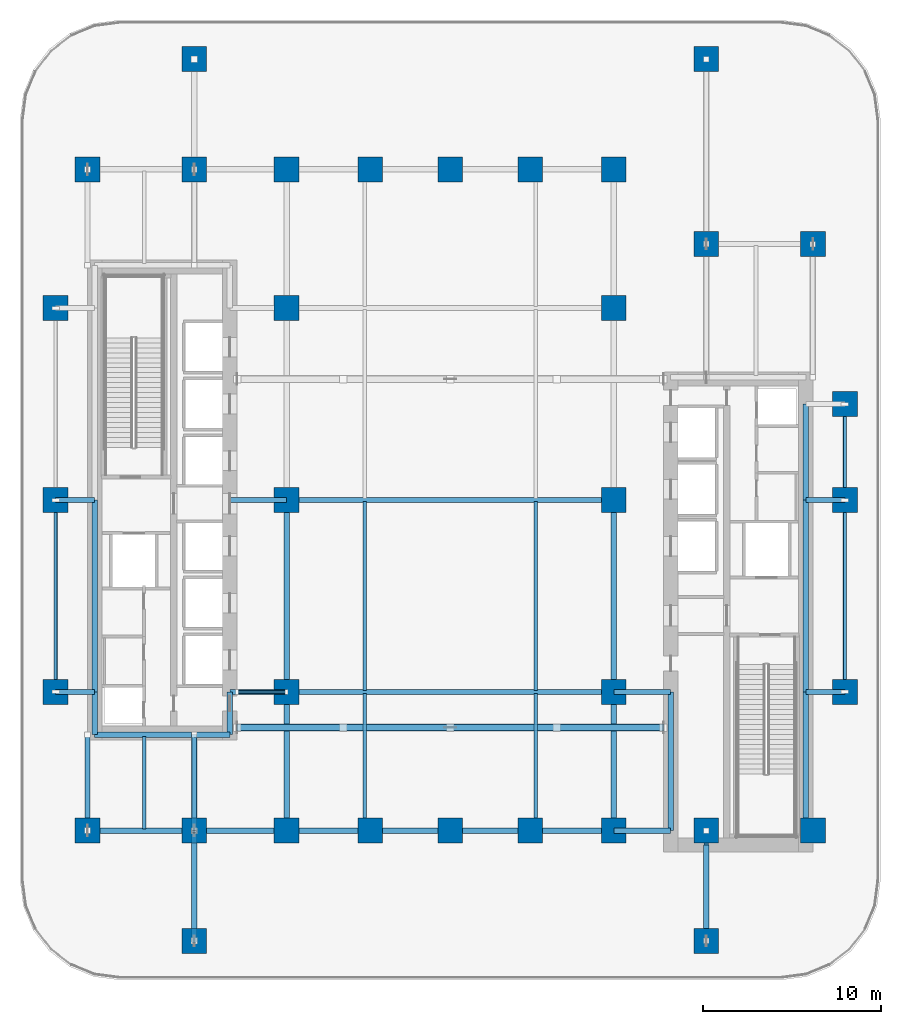
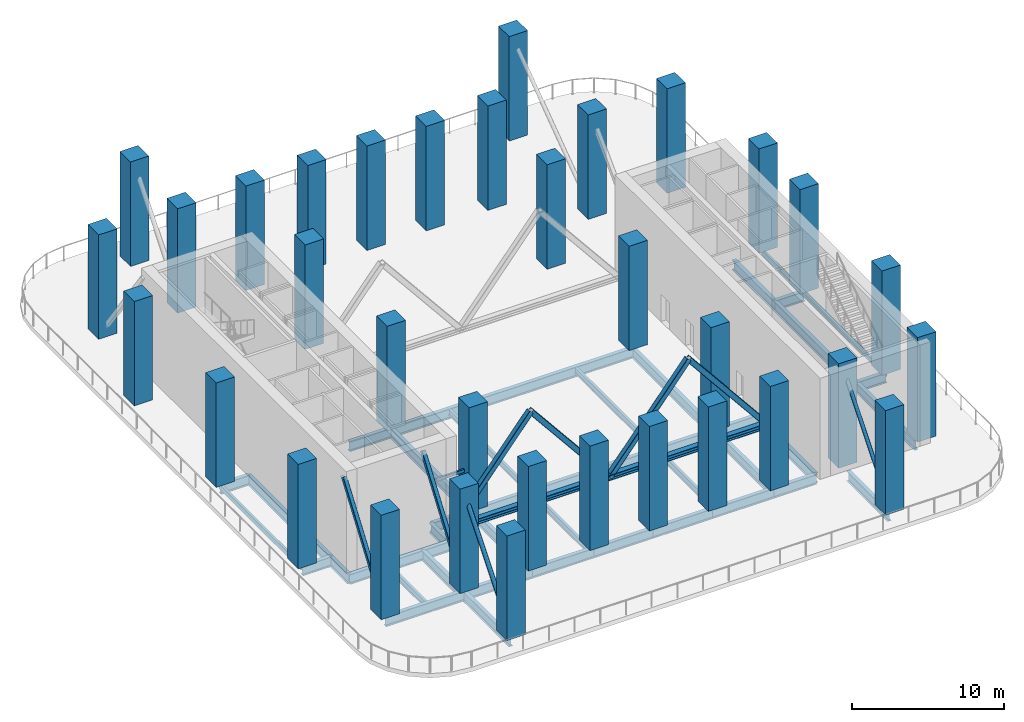
# One storey, part 1 of 13: 41 beams, 34 columns, 9 members.
"""IFC4 building model written with IfcOpenShell, lengths in metres."""

from ifc_helpers import new_model, si_unit, direction, frame, origin, origin_2d, place, context, subcontext, project, spatial, rectangle, hollow_rectangle, hollow_circle, i_section, extrude, material, material_profile, profile_set, type_object, element, save


model = new_model("IFC4")

# Units and contexts
model_context = context("Model", 3, precision=1e-05, world=origin(), true_north=direction((0.0, 1.0)))
body_context = subcontext(model_context, "Body", "Model", "MODEL_VIEW")
ifc_project = project(units=[si_unit("LENGTHUNIT", "METRE"), si_unit("AREAUNIT", "SQUARE_METRE"), si_unit("VOLUMEUNIT", "CUBIC_METRE"), si_unit("PLANEANGLEUNIT", "RADIAN"), si_unit("MASSUNIT", "GRAM", prefix="KILO")], contexts=[model_context])

# Site, building, storey
site_placement = place(None, origin())
site = spatial("IfcSite", under=ifc_project, at=site_placement, CompositionType="ELEMENT")
building_placement = place(site_placement, origin())
building = spatial("IfcBuilding", under=site, at=building_placement, Name="Khairoan Windgate Tower", CompositionType="ELEMENT")
storey_placement = place(building_placement, frame((0.0, 0.0, 84.800048828125)))
storey = spatial("IfcBuildingStorey", under=building, at=storey_placement, Name="L20", CompositionType="ELEMENT", Elevation=84.800048828125)

# Columns
ifc_material_1 = material(Name="Concrete C60/75", Category="concrete")
ifc_material_profile_1 = material_profile(ifc_material_1, rectangle(XDim=1.39990234375, YDim=1.39990234375, at=origin_2d()))
ifc_profile_set_1 = profile_set([ifc_material_profile_1], Name="Concrete C60/75")
column_type = type_object("IfcColumnType", Name="Column C-T2 RC1400x1400", PredefinedType="COLUMN", material=ifc_profile_set_1)
for number, where, z_axis, x_axis, name in (
    (1, (-9.199951171875, -18.60009765625, 0.0), (0.0, 0.0, 1.0), (1.0, 0.0, 0.0), "Column L20-01"),
    (2, (-9.199951171875, -10.800048828125, 0.0), (0.0, 0.0, 1.0), (1.0, 0.0, 0.0), "Column L20-02"),
    (3, (-9.199951171875, 0.0, 0.0), (0.0, 0.0, 1.0), (1.0, 0.0, 0.0), "Column L20-03"),
    (4, (-9.199951171875, 10.800048828125, 0.0), (0.0, 0.0, 1.0), (1.0, 0.0, 0.0), "Column L20-04"),
    (5, (-9.199951171875, 18.60009765625, 0.0), (0.0, 0.0, 1.0), (1.0, 0.0, 0.0), "Column L20-05"),
    (6, (9.199951171875, -18.60009765625, 0.0), (0.0, 0.0, 1.0), (1.0, 0.0, 0.0), "Column L20-06"),
    (7, (9.199951171875, -10.800048828125, 0.0), (0.0, 0.0, 1.0), (1.0, 0.0, 0.0), "Column L20-07"),
    (8, (9.199951171875, 0.0, 0.0), (0.0, 0.0, 1.0), (1.0, 0.0, 0.0), "Column L20-08"),
    (9, (9.199951171875, 10.800048828125, 0.0), (0.0, 0.0, 1.0), (1.0, 0.0, 0.0), "Column L20-09"),
    (10, (9.199951171875, 18.60009765625, 0.0), (0.0, 0.0, 1.0), (1.0, 0.0, 0.0), "Column L20-10"),
    (11, (-20.39990234375, -18.60009765625, 0.0), (0.0, 0.0, 1.0), (1.0, 0.0, 0.0), "Column L20-11"),
    (12, (-20.39990234375, 18.60009765625, 0.0), (0.0, 0.0, 1.0), (1.0, 0.0, 0.0), "Column L20-12"),
    (13, (20.39990234375, -18.60009765625, 0.0), (0.0, 0.0, 1.0), (1.0, 0.0, 0.0), "Column L20-13"),
    (14, (20.39990234375, 14.39990234375, 0.0), (0.0, 0.0, 1.0), (1.0, 0.0, 0.0), "Column L20-14"),
    (15, (-14.39990234375, -18.60009765625, 0.0), (0.0, 0.0, 1.0), (1.0, 0.0, 0.0), "Column L20-15"),
    (16, (-14.39990234375, 18.60009765625, 0.0), (0.0, 0.0, 1.0), (1.0, 0.0, 0.0), "Column L20-16"),
    (17, (14.39990234375, -18.60009765625, 0.0), (0.0, 0.0, 1.0), (1.0, 0.0, 0.0), "Column L20-17"),
    (18, (14.39990234375, 14.39990234375, 0.0), (0.0, 0.0, 1.0), (1.0, 0.0, 0.0), "Column L20-18"),
    (19, (-4.5, -18.60009765625, 0.0), (0.0, 0.0, 1.0), (1.0, 0.0, 0.0), "Column L20-19"),
    (20, (0.0, -18.60009765625, 0.0), (0.0, 0.0, 1.0), (1.0, 0.0, 0.0), "Column L20-20"),
    (21, (4.5, -18.60009765625, 0.0), (0.0, 0.0, 1.0), (1.0, 0.0, 0.0), "Column L20-21"),
    (22, (-4.5, 18.60009765625, 0.0), (0.0, 0.0, 1.0), (1.0, 0.0, 0.0), "Column L20-22"),
    (23, (0.0, 18.60009765625, 0.0), (0.0, 0.0, 1.0), (1.0, 0.0, 0.0), "Column L20-23"),
    (24, (4.5, 18.60009765625, 0.0), (0.0, 0.0, 1.0), (1.0, 0.0, 0.0), "Column L20-24"),
    (25, (-22.199951171875, -10.800048828125, 0.0), (0.0, 0.0, 1.0), (1.0, 0.0, 0.0), "Column L20-25"),
    (26, (-22.199951171875, 0.0, 0.0), (0.0, 0.0, 1.0), (1.0, 0.0, 0.0), "Column L20-26"),
    (27, (-22.199951171875, 10.800048828125, 0.0), (0.0, 0.0, 1.0), (1.0, 0.0, 0.0), "Column L20-27"),
    (28, (22.199951171875, -10.800048828125, 0.0), (0.0, 0.0, 1.0), (1.0, 0.0, 0.0), "Column L20-28"),
    (29, (22.199951171875, 0.0, 0.0), (0.0, 0.0, 1.0), (1.0, 0.0, 0.0), "Column L20-29"),
    (30, (22.199951171875, 5.39990234375, 0.0), (0.0, 0.0, 1.0), (1.0, 0.0, 0.0), "Column L20-30"),
    (31, (-14.39990234375, -24.800048828125, 0.0), (0.0, 0.0, 1.0), (1.0, 0.0, 0.0), "Column L20-31"),
    (32, (-14.39990234375, 24.800048828125, 0.0), (0.0, 0.0, 1.0), (1.0, 0.0, 0.0), "Column L20-32"),
    (33, (14.39990234375, -24.800048828125, 0.0), (0.0, 0.0, 1.0), (1.0, 0.0, 0.0), "Column L20-33"),
    (34, (14.39990234375, 24.800048828125, 0.0), (0.0, 0.0, 1.0), (1.0, 0.0, 0.0), "Column L20-34"),
):
    element("IfcColumn", number, at=place(storey_placement, frame(where, z_axis=z_axis, x_axis=x_axis)), inside=storey, type_object=column_type, Name=name, PredefinedType="COLUMN", context=body_context, shape_type="SweptSolid", body=[
        extrude(rectangle(XDim=1.39990234375, YDim=1.39990234375, at=origin_2d()), origin(), (0.0, 0.0, 1.0), 8.39990234375),
    ])

# Beams
ifc_material_2 = material(Name="Steel S355", Category="steel")
ifc_material_profile_2 = material_profile(ifc_material_2, i_section(OverallWidth=0.300048828125, OverallDepth=0.800048828125, WebThickness=0.013916015625, FlangeThickness=0.02587890625, FilletRadius=0.028076171875, at=origin_2d()))
ifc_profile_set_2 = profile_set([ifc_material_profile_2], Name="Steel S355")
beam_type_1 = type_object("IfcBeamType", Name="Beam B-G2 H800x300x14x26", PredefinedType="BEAM", material=ifc_profile_set_2)
beam_1_placement = place(storey_placement, frame((-20.39990234375, -18.60009765625, -0.75), z_axis=(1.0, 0.0, 0.0), x_axis=(0.0, 1.0, 0.0)))
element("IfcBeam", 35, at=beam_1_placement, inside=storey, type_object=beam_type_1, Name="L20 E-W Primary Girder 01", PredefinedType="BEAM", context=body_context, shape_type="SweptSolid", body=[
    extrude(i_section(OverallWidth=0.300048828125, OverallDepth=0.800048828125, WebThickness=0.013916015625, FlangeThickness=0.02587890625, FilletRadius=0.028076171875, at=origin_2d()), origin(), (0.0, 0.0, 1.0), 6.0),
])
beam_2_placement = place(storey_placement, frame((-14.39990234375, -18.60009765625, -0.75), z_axis=(1.0, 0.0, 0.0), x_axis=(0.0, 1.0, 0.0)))
element("IfcBeam", 36, at=beam_2_placement, inside=storey, type_object=beam_type_1, Name="L20 E-W Primary Girder 02", PredefinedType="BEAM", context=body_context, shape_type="SweptSolid", body=[
    extrude(i_section(OverallWidth=0.300048828125, OverallDepth=0.800048828125, WebThickness=0.013916015625, FlangeThickness=0.02587890625, FilletRadius=0.028076171875, at=origin_2d()), origin(), (0.0, 0.0, 1.0), 5.199951171875),
])
beam_3_placement = place(storey_placement, frame((-9.199951171875, -18.60009765625, -0.75), z_axis=(1.0, 0.0, 0.0), x_axis=(0.0, 1.0, 0.0)))
element("IfcBeam", 37, at=beam_3_placement, inside=storey, type_object=beam_type_1, Name="L20 E-W Primary Girder 03", PredefinedType="BEAM", context=body_context, shape_type="SweptSolid", body=[
    extrude(i_section(OverallWidth=0.300048828125, OverallDepth=0.800048828125, WebThickness=0.013916015625, FlangeThickness=0.02587890625, FilletRadius=0.028076171875, at=origin_2d()), origin(), (0.0, 0.0, 1.0), 4.699951171875),
])
for number, where, z_axis, x_axis, name in (
    (38, (-4.5, -18.60009765625, -0.75), (1.0, 0.0, 0.0), (0.0, 1.0, 0.0), "L20 E-W Primary Girder 04"),
    (39, (0.0, -18.60009765625, -0.75), (1.0, 0.0, 0.0), (0.0, 1.0, 0.0), "L20 E-W Primary Girder 05"),
):
    element("IfcBeam", number, at=place(storey_placement, frame(where, z_axis=z_axis, x_axis=x_axis)), inside=storey, type_object=beam_type_1, Name=name, PredefinedType="BEAM", context=body_context, shape_type="SweptSolid", body=[
        extrude(i_section(OverallWidth=0.300048828125, OverallDepth=0.800048828125, WebThickness=0.013916015625, FlangeThickness=0.02587890625, FilletRadius=0.028076171875, at=origin_2d()), origin(), (0.0, 0.0, 1.0), 4.5),
    ])
beam_4_placement = place(storey_placement, frame((4.5, -18.60009765625, -0.75), z_axis=(1.0, 0.0, 0.0), x_axis=(0.0, 1.0, 0.0)))
element("IfcBeam", 40, at=beam_4_placement, inside=storey, type_object=beam_type_1, Name="L20 E-W Primary Girder 06", PredefinedType="BEAM", context=body_context, shape_type="SweptSolid", body=[
    extrude(i_section(OverallWidth=0.300048828125, OverallDepth=0.800048828125, WebThickness=0.013916015625, FlangeThickness=0.02587890625, FilletRadius=0.028076171875, at=origin_2d()), origin(), (0.0, 0.0, 1.0), 4.699951171875),
])
beam_5_placement = place(storey_placement, frame((9.199951171875, -18.60009765625, -0.75), z_axis=(1.0, 0.0, 0.0), x_axis=(0.0, 1.0, 0.0)))
element("IfcBeam", 41, at=beam_5_placement, inside=storey, type_object=beam_type_1, Name="L20 E-W Primary Girder 07", PredefinedType="BEAM", context=body_context, shape_type="SweptSolid", body=[
    extrude(i_section(OverallWidth=0.300048828125, OverallDepth=0.800048828125, WebThickness=0.013916015625, FlangeThickness=0.02587890625, FilletRadius=0.028076171875, at=origin_2d()), origin(), (0.0, 0.0, 1.0), 3.199951171875),
])
beam_6_placement = place(storey_placement, frame((-20.0, -13.199951171875, -0.75), z_axis=(1.0, 0.0, 0.0), x_axis=(0.0, 1.0, 0.0)))
element("IfcBeam", 42, at=beam_6_placement, inside=storey, type_object=beam_type_1, Name="L20 E-W Primary Girder 08", PredefinedType="BEAM", context=body_context, shape_type="SweptSolid", body=[
    extrude(i_section(OverallWidth=0.300048828125, OverallDepth=0.800048828125, WebThickness=0.013916015625, FlangeThickness=0.02587890625, FilletRadius=0.028076171875, at=origin_2d()), origin(), (0.0, 0.0, 1.0), 5.60009765625),
])
beam_7_placement = place(storey_placement, frame((-14.39990234375, -13.199951171875, -0.75), z_axis=(1.0, 0.0, 0.0), x_axis=(0.0, 1.0, 0.0)))
element("IfcBeam", 43, at=beam_7_placement, inside=storey, type_object=beam_type_1, Name="L20 E-W Primary Girder 09", PredefinedType="BEAM", context=body_context, shape_type="SweptSolid", body=[
    extrude(i_section(OverallWidth=0.300048828125, OverallDepth=0.800048828125, WebThickness=0.013916015625, FlangeThickness=0.02587890625, FilletRadius=0.028076171875, at=origin_2d()), origin(), (0.0, 0.0, 1.0), 2.0),
])
beam_8_placement = place(storey_placement, frame((-22.199951171875, -10.800048828125, -0.75), z_axis=(1.0, 0.0, 0.0), x_axis=(0.0, 1.0, 0.0)))
element("IfcBeam", 44, at=beam_8_placement, inside=storey, type_object=beam_type_1, Name="L20 E-W Primary Girder 10", PredefinedType="BEAM", context=body_context, shape_type="SweptSolid", body=[
    extrude(i_section(OverallWidth=0.300048828125, OverallDepth=0.800048828125, WebThickness=0.013916015625, FlangeThickness=0.02587890625, FilletRadius=0.028076171875, at=origin_2d()), origin(), (0.0, 0.0, 1.0), 2.199951171875),
])
beam_9_placement = place(storey_placement, frame((-12.39990234375, -10.800048828125, -0.75), z_axis=(1.0, 0.0, 0.0), x_axis=(0.0, 1.0, 0.0)))
element("IfcBeam", 45, at=beam_9_placement, inside=storey, type_object=beam_type_1, Name="L20 E-W Primary Girder 11", PredefinedType="BEAM", context=body_context, shape_type="SweptSolid", body=[
    extrude(i_section(OverallWidth=0.300048828125, OverallDepth=0.800048828125, WebThickness=0.013916015625, FlangeThickness=0.02587890625, FilletRadius=0.028076171875, at=origin_2d()), origin(), (0.0, 0.0, 1.0), 3.199951171875),
])
beam_10_placement = place(storey_placement, frame((-9.199951171875, -10.800048828125, -0.75), z_axis=(1.0, 0.0, 0.0), x_axis=(0.0, 1.0, 0.0)))
element("IfcBeam", 46, at=beam_10_placement, inside=storey, type_object=beam_type_1, Name="L20 E-W Primary Girder 12", PredefinedType="BEAM", context=body_context, shape_type="SweptSolid", body=[
    extrude(i_section(OverallWidth=0.300048828125, OverallDepth=0.800048828125, WebThickness=0.013916015625, FlangeThickness=0.02587890625, FilletRadius=0.028076171875, at=origin_2d()), origin(), (0.0, 0.0, 1.0), 18.39990234375),
])
beam_11_placement = place(storey_placement, frame((9.199951171875, -10.800048828125, -0.75), z_axis=(1.0, 0.0, 0.0), x_axis=(0.0, 1.0, 0.0)))
element("IfcBeam", 47, at=beam_11_placement, inside=storey, type_object=beam_type_1, Name="L20 E-W Primary Girder 13", PredefinedType="BEAM", context=body_context, shape_type="SweptSolid", body=[
    extrude(i_section(OverallWidth=0.300048828125, OverallDepth=0.800048828125, WebThickness=0.013916015625, FlangeThickness=0.02587890625, FilletRadius=0.028076171875, at=origin_2d()), origin(), (0.0, 0.0, 1.0), 3.199951171875),
])
for number, where, z_axis, x_axis, name in (
    (48, (20.0, -10.800048828125, -0.75), (1.0, 0.0, 0.0), (0.0, 1.0, 0.0), "L20 E-W Primary Girder 14"),
    (49, (-22.199951171875, 0.0, -0.75), (1.0, 0.0, 0.0), (0.0, 1.0, 0.0), "L20 E-W Primary Girder 15"),
):
    element("IfcBeam", number, at=place(storey_placement, frame(where, z_axis=z_axis, x_axis=x_axis)), inside=storey, type_object=beam_type_1, Name=name, PredefinedType="BEAM", context=body_context, shape_type="SweptSolid", body=[
        extrude(i_section(OverallWidth=0.300048828125, OverallDepth=0.800048828125, WebThickness=0.013916015625, FlangeThickness=0.02587890625, FilletRadius=0.028076171875, at=origin_2d()), origin(), (0.0, 0.0, 1.0), 2.199951171875),
    ])
beam_12_placement = place(storey_placement, frame((-12.39990234375, 0.0, -0.75), z_axis=(1.0, 0.0, 0.0), x_axis=(0.0, 1.0, 0.0)))
element("IfcBeam", 50, at=beam_12_placement, inside=storey, type_object=beam_type_1, Name="L20 E-W Primary Girder 16", PredefinedType="BEAM", context=body_context, shape_type="SweptSolid", body=[
    extrude(i_section(OverallWidth=0.300048828125, OverallDepth=0.800048828125, WebThickness=0.013916015625, FlangeThickness=0.02587890625, FilletRadius=0.028076171875, at=origin_2d()), origin(), (0.0, 0.0, 1.0), 3.199951171875),
])
beam_13_placement = place(storey_placement, frame((-9.199951171875, 0.0, -0.75), z_axis=(1.0, 0.0, 0.0), x_axis=(0.0, 1.0, 0.0)))
element("IfcBeam", 51, at=beam_13_placement, inside=storey, type_object=beam_type_1, Name="L20 E-W Primary Girder 17", PredefinedType="BEAM", context=body_context, shape_type="SweptSolid", body=[
    extrude(i_section(OverallWidth=0.300048828125, OverallDepth=0.800048828125, WebThickness=0.013916015625, FlangeThickness=0.02587890625, FilletRadius=0.028076171875, at=origin_2d()), origin(), (0.0, 0.0, 1.0), 18.39990234375),
])
beam_14_placement = place(storey_placement, frame((20.0, 0.0, -0.75), z_axis=(1.0, 0.0, 0.0), x_axis=(0.0, 1.0, 0.0)))
element("IfcBeam", 52, at=beam_14_placement, inside=storey, type_object=beam_type_1, Name="L20 E-W Primary Girder 18", PredefinedType="BEAM", context=body_context, shape_type="SweptSolid", body=[
    extrude(i_section(OverallWidth=0.300048828125, OverallDepth=0.800048828125, WebThickness=0.013916015625, FlangeThickness=0.02587890625, FilletRadius=0.028076171875, at=origin_2d()), origin(), (0.0, 0.0, 1.0), 2.199951171875),
])
beam_15_placement = place(storey_placement, frame((-20.0, -13.199951171875, -0.75), z_axis=(0.0, 1.0, 0.0), x_axis=(-1.0, 0.0, 0.0)))
element("IfcBeam", 53, at=beam_15_placement, inside=storey, type_object=beam_type_1, Name="L20 N-S Primary Beam 36", PredefinedType="BEAM", context=body_context, shape_type="SweptSolid", body=[
    extrude(i_section(OverallWidth=0.300048828125, OverallDepth=0.800048828125, WebThickness=0.013916015625, FlangeThickness=0.02587890625, FilletRadius=0.028076171875, at=origin_2d()), origin(), (0.0, 0.0, 1.0), 2.39990234375),
])
beam_16_placement = place(storey_placement, frame((-20.0, -10.800048828125, -0.75), z_axis=(0.0, 1.0, 0.0), x_axis=(-1.0, 0.0, 0.0)))
element("IfcBeam", 54, at=beam_16_placement, inside=storey, type_object=beam_type_1, Name="L20 N-S Primary Beam 37", PredefinedType="BEAM", context=body_context, shape_type="SweptSolid", body=[
    extrude(i_section(OverallWidth=0.300048828125, OverallDepth=0.800048828125, WebThickness=0.013916015625, FlangeThickness=0.02587890625, FilletRadius=0.028076171875, at=origin_2d()), origin(), (0.0, 0.0, 1.0), 10.800048828125),
])
beam_17_placement = place(storey_placement, frame((-14.39990234375, -24.800048828125, -0.75), z_axis=(0.0, 1.0, 0.0), x_axis=(-1.0, 0.0, 0.0)))
element("IfcBeam", 55, at=beam_17_placement, inside=storey, type_object=beam_type_1, Name="L20 N-S Primary Beam 40", PredefinedType="BEAM", context=body_context, shape_type="SweptSolid", body=[
    extrude(i_section(OverallWidth=0.300048828125, OverallDepth=0.800048828125, WebThickness=0.013916015625, FlangeThickness=0.02587890625, FilletRadius=0.028076171875, at=origin_2d()), origin(), (0.0, 0.0, 1.0), 6.199951171875),
])
beam_18_placement = place(storey_placement, frame((-14.39990234375, -18.60009765625, -0.75), z_axis=(0.0, 1.0, 0.0), x_axis=(-1.0, 0.0, 0.0)))
element("IfcBeam", 56, at=beam_18_placement, inside=storey, type_object=beam_type_1, Name="L20 N-S Primary Beam 41", PredefinedType="BEAM", context=body_context, shape_type="SweptSolid", body=[
    extrude(i_section(OverallWidth=0.300048828125, OverallDepth=0.800048828125, WebThickness=0.013916015625, FlangeThickness=0.02587890625, FilletRadius=0.028076171875, at=origin_2d()), origin(), (0.0, 0.0, 1.0), 5.400146484375),
])
beam_19_placement = place(storey_placement, frame((-12.39990234375, -13.199951171875, -0.75), z_axis=(0.0, 1.0, 0.0), x_axis=(-1.0, 0.0, 0.0)))
element("IfcBeam", 57, at=beam_19_placement, inside=storey, type_object=beam_type_1, Name="L20 N-S Primary Beam 44", PredefinedType="BEAM", context=body_context, shape_type="SweptSolid", body=[
    extrude(i_section(OverallWidth=0.300048828125, OverallDepth=0.800048828125, WebThickness=0.013916015625, FlangeThickness=0.02587890625, FilletRadius=0.028076171875, at=origin_2d()), origin(), (0.0, 0.0, 1.0), 2.39990234375),
])
beam_20_placement = place(storey_placement, frame((-9.199951171875, -18.60009765625, -0.75), z_axis=(0.0, 1.0, 0.0), x_axis=(-1.0, 0.0, 0.0)))
element("IfcBeam", 58, at=beam_20_placement, inside=storey, type_object=beam_type_1, Name="L20 N-S Primary Beam 46", PredefinedType="BEAM", context=body_context, shape_type="SweptSolid", body=[
    extrude(i_section(OverallWidth=0.300048828125, OverallDepth=0.800048828125, WebThickness=0.013916015625, FlangeThickness=0.02587890625, FilletRadius=0.028076171875, at=origin_2d()), origin(), (0.0, 0.0, 1.0), 7.800048828125),
])
beam_21_placement = place(storey_placement, frame((-9.199951171875, -10.800048828125, -0.75), z_axis=(0.0, 1.0, 0.0), x_axis=(-1.0, 0.0, 0.0)))
element("IfcBeam", 59, at=beam_21_placement, inside=storey, type_object=beam_type_1, Name="L20 N-S Primary Beam 47", PredefinedType="BEAM", context=body_context, shape_type="SweptSolid", body=[
    extrude(i_section(OverallWidth=0.300048828125, OverallDepth=0.800048828125, WebThickness=0.013916015625, FlangeThickness=0.02587890625, FilletRadius=0.028076171875, at=origin_2d()), origin(), (0.0, 0.0, 1.0), 10.800048828125),
])
beam_22_placement = place(storey_placement, frame((9.199951171875, -18.60009765625, -0.75), z_axis=(0.0, 1.0, 0.0), x_axis=(-1.0, 0.0, 0.0)))
element("IfcBeam", 60, at=beam_22_placement, inside=storey, type_object=beam_type_1, Name="L20 N-S Primary Beam 50", PredefinedType="BEAM", context=body_context, shape_type="SweptSolid", body=[
    extrude(i_section(OverallWidth=0.300048828125, OverallDepth=0.800048828125, WebThickness=0.013916015625, FlangeThickness=0.02587890625, FilletRadius=0.028076171875, at=origin_2d()), origin(), (0.0, 0.0, 1.0), 7.800048828125),
])
beam_23_placement = place(storey_placement, frame((9.199951171875, -10.800048828125, -0.75), z_axis=(0.0, 1.0, 0.0), x_axis=(-1.0, 0.0, 0.0)))
element("IfcBeam", 61, at=beam_23_placement, inside=storey, type_object=beam_type_1, Name="L20 N-S Primary Beam 51", PredefinedType="BEAM", context=body_context, shape_type="SweptSolid", body=[
    extrude(i_section(OverallWidth=0.300048828125, OverallDepth=0.800048828125, WebThickness=0.013916015625, FlangeThickness=0.02587890625, FilletRadius=0.028076171875, at=origin_2d()), origin(), (0.0, 0.0, 1.0), 10.800048828125),
])
beam_24_placement = place(storey_placement, frame((12.39990234375, -18.60009765625, -0.75), z_axis=(0.0, 1.0, 0.0), x_axis=(-1.0, 0.0, 0.0)))
element("IfcBeam", 62, at=beam_24_placement, inside=storey, type_object=beam_type_1, Name="L20 N-S Primary Beam 54", PredefinedType="BEAM", context=body_context, shape_type="SweptSolid", body=[
    extrude(i_section(OverallWidth=0.300048828125, OverallDepth=0.800048828125, WebThickness=0.013916015625, FlangeThickness=0.02587890625, FilletRadius=0.028076171875, at=origin_2d()), origin(), (0.0, 0.0, 1.0), 7.800048828125),
])
beam_25_placement = place(storey_placement, frame((14.39990234375, -24.800048828125, -0.75), z_axis=(0.0, 1.0, 0.0), x_axis=(-1.0, 0.0, 0.0)))
element("IfcBeam", 63, at=beam_25_placement, inside=storey, type_object=beam_type_1, Name="L20 N-S Primary Beam 55", PredefinedType="BEAM", context=body_context, shape_type="SweptSolid", body=[
    extrude(i_section(OverallWidth=0.300048828125, OverallDepth=0.800048828125, WebThickness=0.013916015625, FlangeThickness=0.02587890625, FilletRadius=0.028076171875, at=origin_2d()), origin(), (0.0, 0.0, 1.0), 5.400146484375),
])
beam_26_placement = place(storey_placement, frame((20.0, -18.60009765625, -0.75), z_axis=(0.0, 1.0, 0.0), x_axis=(-1.0, 0.0, 0.0)))
element("IfcBeam", 64, at=beam_26_placement, inside=storey, type_object=beam_type_1, Name="L20 N-S Primary Beam 58", PredefinedType="BEAM", context=body_context, shape_type="SweptSolid", body=[
    extrude(i_section(OverallWidth=0.300048828125, OverallDepth=0.800048828125, WebThickness=0.013916015625, FlangeThickness=0.02587890625, FilletRadius=0.028076171875, at=origin_2d()), origin(), (0.0, 0.0, 1.0), 7.800048828125),
])
beam_27_placement = place(storey_placement, frame((20.0, -10.800048828125, -0.75), z_axis=(0.0, 1.0, 0.0), x_axis=(-1.0, 0.0, 0.0)))
element("IfcBeam", 65, at=beam_27_placement, inside=storey, type_object=beam_type_1, Name="L20 N-S Primary Beam 59", PredefinedType="BEAM", context=body_context, shape_type="SweptSolid", body=[
    extrude(i_section(OverallWidth=0.300048828125, OverallDepth=0.800048828125, WebThickness=0.013916015625, FlangeThickness=0.02587890625, FilletRadius=0.028076171875, at=origin_2d()), origin(), (0.0, 0.0, 1.0), 10.800048828125),
])
beam_28_placement = place(storey_placement, frame((20.0, 0.0, -0.75), z_axis=(0.0, 1.0, 0.0), x_axis=(-1.0, 0.0, 0.0)))
element("IfcBeam", 66, at=beam_28_placement, inside=storey, type_object=beam_type_1, Name="L20 N-S Primary Beam 60", PredefinedType="BEAM", context=body_context, shape_type="SweptSolid", body=[
    extrude(i_section(OverallWidth=0.300048828125, OverallDepth=0.800048828125, WebThickness=0.013916015625, FlangeThickness=0.02587890625, FilletRadius=0.028076171875, at=origin_2d()), origin(), (0.0, 0.0, 1.0), 5.39990234375),
])
ifc_material_3 = material(Name="Steel S355", Category="steel")
ifc_material_profile_3 = material_profile(ifc_material_3, i_section(OverallWidth=0.199951171875, OverallDepth=0.5, WebThickness=0.010009765625, FlangeThickness=0.01611328125, FilletRadius=0.02001953125, at=origin_2d()))
ifc_profile_set_3 = profile_set([ifc_material_profile_3], Name="Steel S355")
beam_type_2 = type_object("IfcBeamType", Name="Beam J-S2 H500x200x10x16", PredefinedType="JOIST", material=ifc_profile_set_3)
beam_29_placement = place(storey_placement, frame((-17.199951171875, -18.510009765625, -0.60009765625), z_axis=(0.0, 1.0, 0.0), x_axis=(-1.0, 0.0, 0.0)))
element("IfcBeam", 67, at=beam_29_placement, inside=storey, type_object=beam_type_2, Name="L20 Secondary Floor Joist 01", PredefinedType="JOIST", context=body_context, shape_type="SweptSolid", body=[
    extrude(i_section(OverallWidth=0.199951171875, OverallDepth=0.5, WebThickness=0.010009765625, FlangeThickness=0.01611328125, FilletRadius=0.02001953125, at=origin_2d()), origin(), (0.0, 0.0, 1.0), 5.219970703125),
])
beam_30_placement = place(storey_placement, frame((-4.800048828125, -18.510009765625, -0.60009765625), z_axis=(0.0, 1.0, 0.0), x_axis=(-1.0, 0.0, 0.0)))
element("IfcBeam", 68, at=beam_30_placement, inside=storey, type_object=beam_type_2, Name="L20 Secondary Floor Joist 03", PredefinedType="JOIST", context=body_context, shape_type="SweptSolid", body=[
    extrude(i_section(OverallWidth=0.199951171875, OverallDepth=0.5, WebThickness=0.010009765625, FlangeThickness=0.01611328125, FilletRadius=0.02001953125, at=origin_2d()), origin(), (0.0, 0.0, 1.0), 7.6201171875),
])
beam_31_placement = place(storey_placement, frame((-4.800048828125, -10.7099609375, -0.60009765625), z_axis=(0.0, 1.0, 0.0), x_axis=(-1.0, 0.0, 0.0)))
element("IfcBeam", 69, at=beam_31_placement, inside=storey, type_object=beam_type_2, Name="L20 Secondary Floor Joist 04", PredefinedType="JOIST", context=body_context, shape_type="SweptSolid", body=[
    extrude(i_section(OverallWidth=0.199951171875, OverallDepth=0.5, WebThickness=0.010009765625, FlangeThickness=0.01611328125, FilletRadius=0.02001953125, at=origin_2d()), origin(), (0.0, 0.0, 1.0), 10.619873046875),
])
beam_32_placement = place(storey_placement, frame((4.800048828125, -18.510009765625, -0.60009765625), z_axis=(0.0, 1.0, 0.0), x_axis=(-1.0, 0.0, 0.0)))
element("IfcBeam", 70, at=beam_32_placement, inside=storey, type_object=beam_type_2, Name="L20 Secondary Floor Joist 07", PredefinedType="JOIST", context=body_context, shape_type="SweptSolid", body=[
    extrude(i_section(OverallWidth=0.199951171875, OverallDepth=0.5, WebThickness=0.010009765625, FlangeThickness=0.01611328125, FilletRadius=0.02001953125, at=origin_2d()), origin(), (0.0, 0.0, 1.0), 7.6201171875),
])
beam_33_placement = place(storey_placement, frame((4.800048828125, -10.7099609375, -0.60009765625), z_axis=(0.0, 1.0, 0.0), x_axis=(-1.0, 0.0, 0.0)))
element("IfcBeam", 71, at=beam_33_placement, inside=storey, type_object=beam_type_2, Name="L20 Secondary Floor Joist 08", PredefinedType="JOIST", context=body_context, shape_type="SweptSolid", body=[
    extrude(i_section(OverallWidth=0.199951171875, OverallDepth=0.5, WebThickness=0.010009765625, FlangeThickness=0.01611328125, FilletRadius=0.02001953125, at=origin_2d()), origin(), (0.0, 0.0, 1.0), 10.619873046875),
])
ifc_material_4 = material(Name="Steel S355", Category="steel")
ifc_material_profile_4 = material_profile(ifc_material_4, hollow_rectangle(XDim=0.14990234375, YDim=0.25, WallThickness=0.010009765625, InnerFilletRadius=0.010009765625, OuterFilletRadius=0.02001953125, at=origin_2d()))
ifc_profile_set_4 = profile_set([ifc_material_profile_4], Name="Steel S355")
beam_type_3 = type_object("IfcBeamType", Name="Beam LN-B1 RHS250x150x10", PredefinedType="LINTEL", material=ifc_profile_set_4)
beam_34_placement = place(storey_placement, frame((-12.02001953125, -10.800048828125, 2.949951171875), z_axis=(1.0, 0.0, 0.0), x_axis=(0.0, 1.0, 0.0)))
element("IfcBeam", 72, at=beam_34_placement, inside=storey, type_object=beam_type_3, Name="Core Lobby Opening Lintel L20", PredefinedType="LINTEL", context=body_context, shape_type="SweptSolid", body=[
    extrude(hollow_rectangle(XDim=0.14990234375, YDim=0.25, WallThickness=0.010009765625, InnerFilletRadius=0.010009765625, OuterFilletRadius=0.02001953125, at=origin_2d()), origin(), (0.0, 0.0, 1.0), 2.820068359375),
])
ifc_material_5 = material(Name="Steel S355", Category="steel")
ifc_material_profile_5 = material_profile(ifc_material_5, hollow_rectangle(XDim=0.199951171875, YDim=0.39990234375, WallThickness=0.013916015625, InnerFilletRadius=0.013916015625, OuterFilletRadius=0.028076171875, at=origin_2d()))
ifc_profile_set_5 = profile_set([ifc_material_profile_5], Name="Steel S355")
beam_type_4 = type_object("IfcBeamType", Name="Beam SP-B1 RHS400x200x14", PredefinedType="SPANDREL", material=ifc_profile_set_5)
for number, where, z_axis, x_axis, name in (
    (73, (-22.199951171875, -10.800048828125, -0.550048828125), (0.0, 1.0, 0.0), (-1.0, 0.0, 0.0), "L20 Spandrel Beam 34"),
    (74, (22.199951171875, -10.800048828125, -0.550048828125), (0.0, 1.0, 0.0), (-1.0, 0.0, 0.0), "L20 Spandrel Beam 61"),
):
    element("IfcBeam", number, at=place(storey_placement, frame(where, z_axis=z_axis, x_axis=x_axis)), inside=storey, type_object=beam_type_4, Name=name, PredefinedType="SPANDREL", context=body_context, shape_type="SweptSolid", body=[
        extrude(hollow_rectangle(XDim=0.199951171875, YDim=0.39990234375, WallThickness=0.013916015625, InnerFilletRadius=0.013916015625, OuterFilletRadius=0.028076171875, at=origin_2d()), origin(), (0.0, 0.0, 1.0), 10.800048828125),
    ])
beam_35_placement = place(storey_placement, frame((22.199951171875, 0.0, -0.550048828125), z_axis=(0.0, 1.0, 0.0), x_axis=(-1.0, 0.0, 0.0)))
element("IfcBeam", 75, at=beam_35_placement, inside=storey, type_object=beam_type_4, Name="L20 Spandrel Beam 62", PredefinedType="SPANDREL", context=body_context, shape_type="SweptSolid", body=[
    extrude(hollow_rectangle(XDim=0.199951171875, YDim=0.39990234375, WallThickness=0.013916015625, InnerFilletRadius=0.013916015625, OuterFilletRadius=0.028076171875, at=origin_2d()), origin(), (0.0, 0.0, 1.0), 5.39990234375),
])

# Members
ifc_material_6 = material(Name="Steel S355", Category="steel")
ifc_material_profile_6 = material_profile(ifc_material_6, hollow_rectangle(XDim=0.300048828125, YDim=0.300048828125, WallThickness=0.01611328125, InnerFilletRadius=0.01611328125, OuterFilletRadius=0.031982421875, at=origin_2d()))
ifc_profile_set_6 = profile_set([ifc_material_profile_6], Name="Steel S355")
member_type_1 = type_object("IfcMemberType", Name="Structural Member BR-BT1 SHS300x300x16", PredefinedType="BRACE", material=ifc_profile_set_6)
for number, where, z_axis, x_axis, name in (
    (76, (-20.39990234375, -18.60009765625, 0.02001953125), (0.0, 0.580748810991, 0.814082808155), (0.0, -0.814082808155, 0.580748810991), "L20 Wing Belt-Truss Brace 01"),
    (77, (-14.39990234375, -18.60009765625, 0.02001953125), (0.0, 0.580748810991, 0.814082808155), (0.0, -0.814082808155, 0.580748810991), "L20 Wing Belt-Truss Brace 03"),
):
    element("IfcMember", number, at=place(storey_placement, frame(where, z_axis=z_axis, x_axis=x_axis)), inside=storey, type_object=member_type_1, Name=name, PredefinedType="BRACE", context=body_context, shape_type="SweptSolid", body=[
        extrude(hollow_rectangle(XDim=0.300048828125, YDim=0.300048828125, WallThickness=0.01611328125, InnerFilletRadius=0.01611328125, OuterFilletRadius=0.031982421875, at=origin_2d()), origin(), (0.0, 0.0, 1.0), 9.298583984375),
    ])
ifc_material_7 = material(Name="Steel S355", Category="steel")
ifc_material_profile_7 = material_profile(ifc_material_7, hollow_circle(Radius=0.136474609375, WallThickness=0.012451171875, at=origin_2d()))
ifc_profile_set_7 = profile_set([ifc_material_profile_7], Name="Steel S355")
member_type_2 = type_object("IfcMemberType", Name="Structural Member BR-CN1 CHS273x12.5", PredefinedType="BRACE", material=ifc_profile_set_7)
member_1_placement = place(storey_placement, frame((14.39990234375, -24.800048828125, 0.02001953125), z_axis=(0.0, 0.63363309604, 0.773633698595), x_axis=(0.0, -0.773633698595, 0.63363309604)))
element("IfcMember", 78, at=member_1_placement, inside=storey, type_object=member_type_2, Name="L20 Portal Belt Tubular Brace BR-CN-1", PredefinedType="BRACE", context=body_context, shape_type="SweptSolid", body=[
    extrude(hollow_circle(Radius=0.136474609375, WallThickness=0.012451171875, at=origin_2d()), origin(), (0.0, 0.0, 1.0), 9.78466796875),
])
ifc_material_8 = material(Name="Steel S355", Category="steel")
ifc_material_profile_8 = material_profile(ifc_material_8, hollow_circle(Radius=0.161865234375, WallThickness=0.01611328125, at=origin_2d()))
ifc_profile_set_8 = profile_set([ifc_material_profile_8], Name="Steel S355")
member_type_3 = type_object("IfcMemberType", Name="Structural Member BR-CR1 CHS323.9x16", PredefinedType="BRACE", material=ifc_profile_set_8)
member_2_placement = place(storey_placement, frame((-14.39990234375, -24.800048828125, 0.02001953125), z_axis=(0.0, 0.63363309604, 0.773633698595), x_axis=(0.0, -0.773633698595, 0.63363309604)))
element("IfcMember", 79, at=member_2_placement, inside=storey, type_object=member_type_3, Name="L20 Portal Belt Tubular Brace BR-CR-2", PredefinedType="BRACE", context=body_context, shape_type="SweptSolid", body=[
    extrude(hollow_circle(Radius=0.161865234375, WallThickness=0.01611328125, at=origin_2d()), origin(), (0.0, 0.0, 1.0), 9.78466796875),
])
ifc_material_9 = material(Name="Steel S355", Category="steel")
ifc_material_profile_9 = material_profile(ifc_material_9, hollow_rectangle(XDim=0.39990234375, YDim=0.39990234375, WallThickness=0.02001953125, InnerFilletRadius=0.02001953125, OuterFilletRadius=0.0400390625, at=origin_2d()))
ifc_profile_set_9 = profile_set([ifc_material_profile_9], Name="Steel S355")
member_type_4 = type_object("IfcMemberType", Name="Structural Member BR-OT1 SHS400x400x20", PredefinedType="BRACE", material=ifc_profile_set_9)
for number, where, z_axis, x_axis, name in (
    (80, (-12.0, -12.800048828125, 0.219970703125), (0.631351531338, 0.0, 0.775496772319), (0.0, 1.0, 0.0), "L20 Outrigger Diagonal Brace 01"),
    (81, (-6.0, -12.800048828125, 7.58984375), (0.631351531338, 0.0, -0.775496772319), (0.0, 1.0, 0.0), "L20 Outrigger Diagonal Brace 02"),
    (82, (0.0, -12.800048828125, 0.219970703125), (0.631351531338, 0.0, 0.775496772319), (0.0, 1.0, 0.0), "L20 Outrigger Diagonal Brace 03"),
    (83, (6.0, -12.800048828125, 7.58984375), (0.631351531338, 0.0, -0.775496772319), (0.0, 1.0, 0.0), "L20 Outrigger Diagonal Brace 04"),
):
    element("IfcMember", number, at=place(storey_placement, frame(where, z_axis=z_axis, x_axis=x_axis)), inside=storey, type_object=member_type_4, Name=name, PredefinedType="BRACE", context=body_context, shape_type="SweptSolid", body=[
        extrude(hollow_rectangle(XDim=0.39990234375, YDim=0.39990234375, WallThickness=0.02001953125, InnerFilletRadius=0.02001953125, OuterFilletRadius=0.0400390625, at=origin_2d()), origin(), (0.0, 0.0, 1.0), 9.50341796875),
    ])
ifc_material_10 = material(Name="Steel S355", Category="steel")
ifc_material_profile_10 = material_profile(ifc_material_10, i_section(OverallWidth=0.406982421875, OverallDepth=0.427978515625, WebThickness=0.02001953125, FlangeThickness=0.034912109375, FilletRadius=0.02197265625, at=origin_2d()))
ifc_profile_set_10 = profile_set([ifc_material_profile_10], Name="Steel S355")
member_type_5 = type_object("IfcMemberType", Name="Structural Member CHB-1 H428x407x20x35", PredefinedType="CHORD", material=ifc_profile_set_10)
member_3_placement = place(storey_placement, frame((-12.02001953125, -12.800048828125, 0.219970703125), z_axis=(1.0, 0.0, 0.0), x_axis=(0.0, 1.0, 0.0)))
element("IfcMember", 84, at=member_3_placement, inside=storey, type_object=member_type_5, Name="L20 Coupled Outrigger Bottom Tie Chord", PredefinedType="CHORD", context=body_context, shape_type="SweptSolid", body=[
    extrude(i_section(OverallWidth=0.406982421875, OverallDepth=0.427978515625, WebThickness=0.02001953125, FlangeThickness=0.034912109375, FilletRadius=0.02197265625, at=origin_2d()), origin(), (0.0, 0.0, 1.0), 24.0400390625),
])

save(model, "model.ifc")
